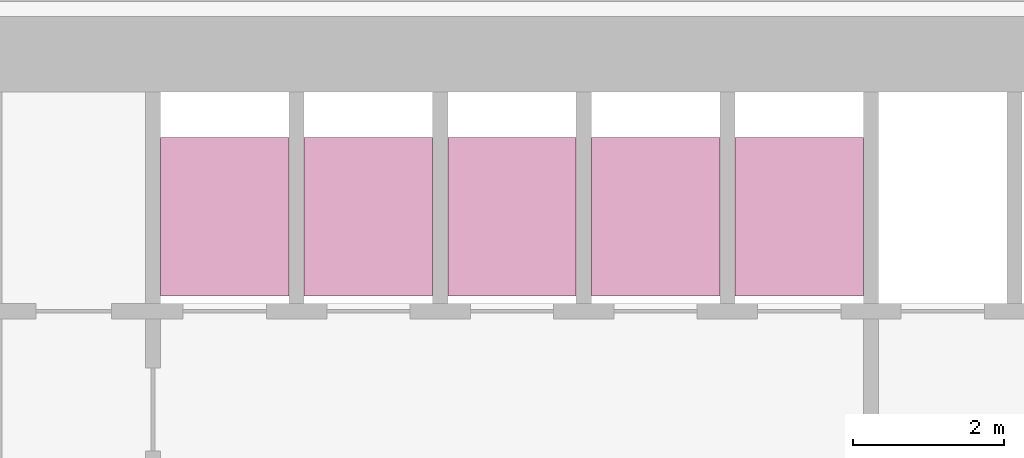
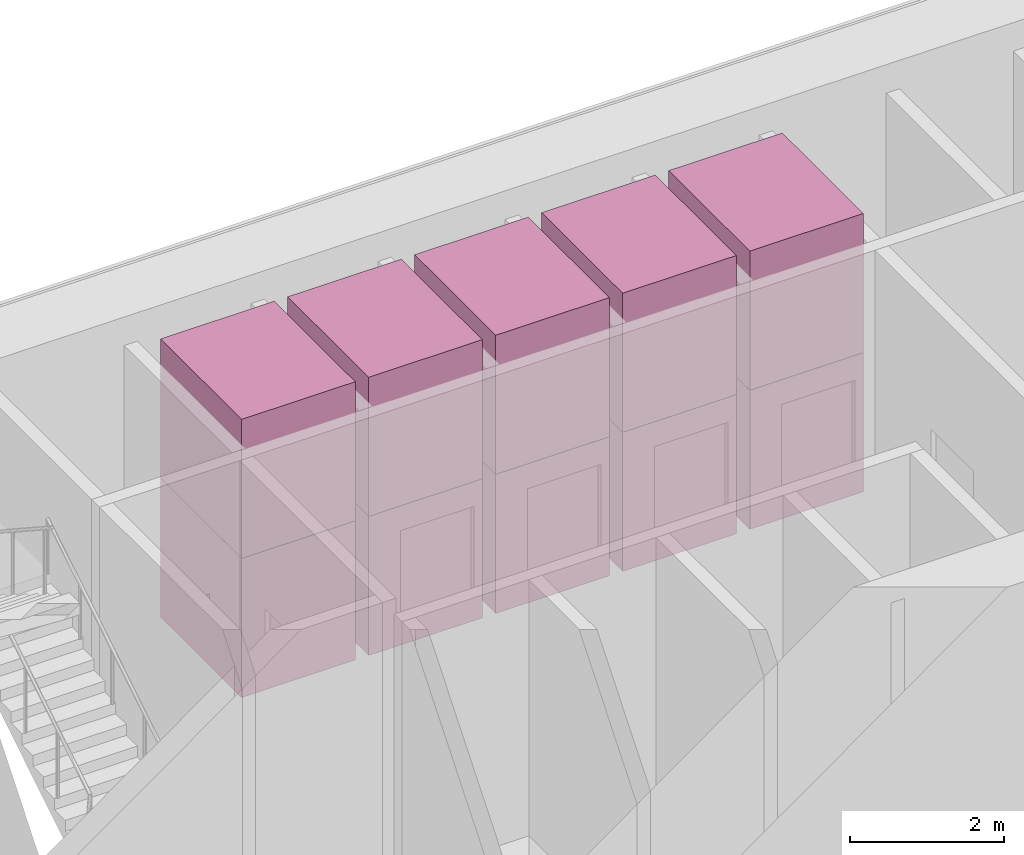
# One storey, part 9 of 9: 10 transport elements.
"""IFC4 building model written with IfcOpenShell, lengths in metres."""

from ifc_helpers import new_model, si_unit, direction, frame, origin, origin_2d, place, context, subcontext, project, spatial, rectangle, extrude, material, type_object, element, save


model = new_model("IFC4")

# Units and contexts
model_context = context("Model", 3, precision=1e-05, world=origin(), true_north=direction((0.0, 1.0)))
body_context = subcontext(model_context, "Body", "Model", "MODEL_VIEW")
ifc_project = project(units=[si_unit("LENGTHUNIT", "METRE"), si_unit("AREAUNIT", "SQUARE_METRE"), si_unit("VOLUMEUNIT", "CUBIC_METRE"), si_unit("PLANEANGLEUNIT", "RADIAN"), si_unit("MASSUNIT", "GRAM", prefix="KILO")], contexts=[model_context])

# Site, building, storey
site_placement = place(None, origin())
site = spatial("IfcSite", under=ifc_project, at=site_placement, CompositionType="ELEMENT")
building_placement = place(site_placement, origin())
building = spatial("IfcBuilding", under=site, at=building_placement, Name="Altiplano Prism Tower", CompositionType="ELEMENT")
storey_placement = place(building_placement, frame((0.0, 0.0, 13.5)))
storey = spatial("IfcBuildingStorey", under=building, at=storey_placement, Name="L02", CompositionType="ELEMENT", Elevation=13.5)

# Transport elements
ifc_material = material(Name="Stainless steel lift car", Category="steel")
transport_element_type = type_object("IfcTransportElementType", Name="Passenger lift car 1600 x 2100", PredefinedType="ELEVATOR", material=ifc_material)
for number, where, z_axis, x_axis, name in (
    (1, (79.050048828125, 101.75, 0.0498046875), (0.0, 0.0, 1.0), (1.0, 0.0, 0.0), "Low Zone Passenger Lift 1"),
    (2, (79.050048828125, 101.75, 2.25), (0.0, 0.0, 1.0), (1.0, 0.0, 0.0), "Low Zone Passenger Lift 1"),
    (3, (80.949951171875, 101.75, 0.0498046875), (0.0, 0.0, 1.0), (1.0, 0.0, 0.0), "Low Zone Passenger Lift 2"),
    (4, (80.949951171875, 101.75, 2.25), (0.0, 0.0, 1.0), (1.0, 0.0, 0.0), "Low Zone Passenger Lift 2"),
    (5, (82.85009765625, 101.75, 0.0498046875), (0.0, 0.0, 1.0), (1.0, 0.0, 0.0), "Low Zone Passenger Lift 3"),
    (6, (82.85009765625, 101.75, 2.25), (0.0, 0.0, 1.0), (1.0, 0.0, 0.0), "Low Zone Passenger Lift 3"),
    (7, (84.75, 101.75, 0.0498046875), (0.0, 0.0, 1.0), (1.0, 0.0, 0.0), "Low Zone Passenger Lift 4"),
    (8, (84.75, 101.75, 2.25), (0.0, 0.0, 1.0), (1.0, 0.0, 0.0), "Low Zone Passenger Lift 4"),
    (9, (86.64990234375, 101.75, 0.0498046875), (0.0, 0.0, 1.0), (1.0, 0.0, 0.0), "Low Zone Passenger Lift 5"),
    (10, (86.64990234375, 101.75, 2.25), (0.0, 0.0, 1.0), (1.0, 0.0, 0.0), "Low Zone Passenger Lift 5"),
):
    element("IfcTransportElement", number, at=place(storey_placement, frame(where, z_axis=z_axis, x_axis=x_axis)), inside=storey, type_object=transport_element_type, Name=name, PredefinedType="ELEVATOR", context=body_context, shape_type="SweptSolid", body=[
        extrude(rectangle(XDim=1.699951171875, YDim=2.10009765625, at=origin_2d()), origin(), (0.0, 0.0, 1.0), 2.199951171875),
    ])

save(model, "model.ifc")
